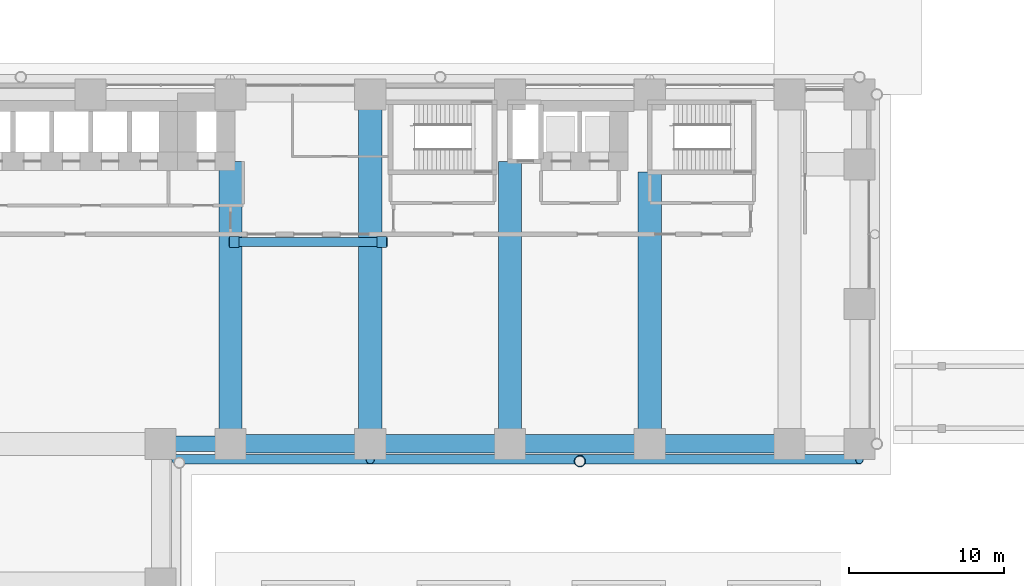
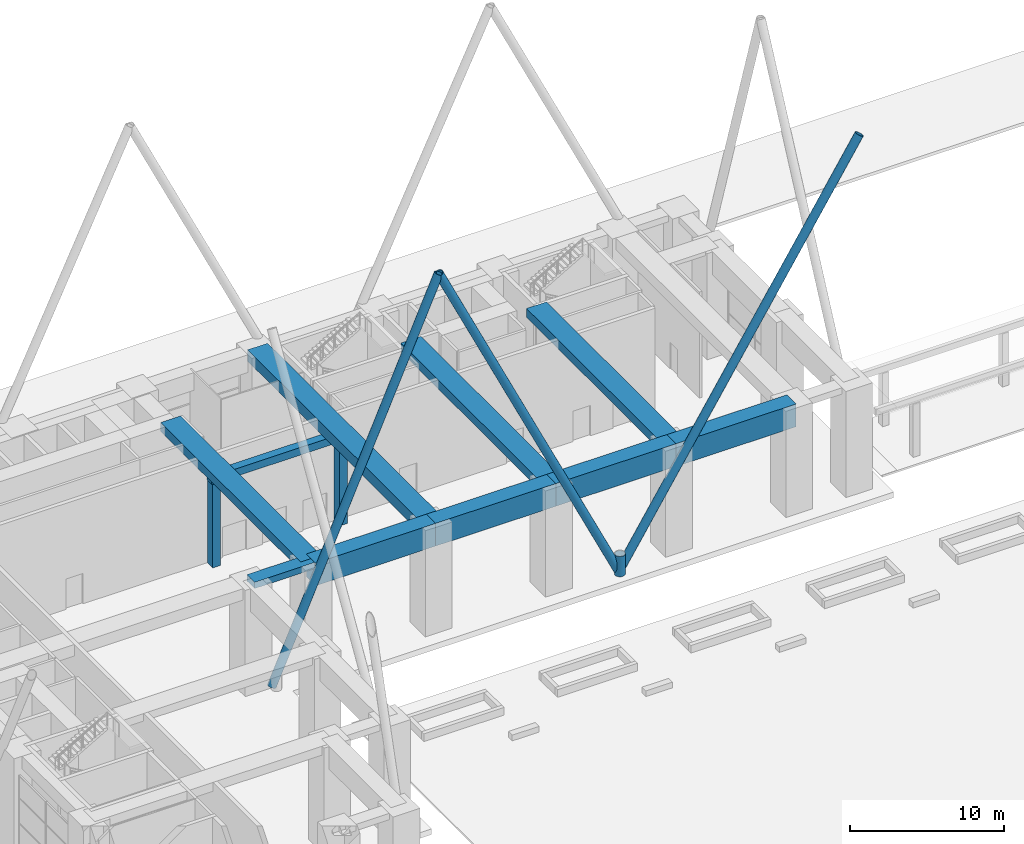
# One storey, part 9 of 44: 9 beams, 7 members.
"""IFC4 building model written with IfcOpenShell, lengths in metres."""

from ifc_helpers import new_model, si_unit, direction, frame, origin, origin_2d, place, context, subcontext, project, spatial, rectangle, hollow_circle, extrude, material, material_profile, profile_set, type_object, element, save


model = new_model("IFC4")

# Units and contexts
model_context = context("Model", 3, precision=1e-05, world=origin(), true_north=direction((0.0, 1.0)))
body_context = subcontext(model_context, "Body", "Model", "MODEL_VIEW")
ifc_project = project(units=[si_unit("LENGTHUNIT", "METRE"), si_unit("AREAUNIT", "SQUARE_METRE"), si_unit("VOLUMEUNIT", "CUBIC_METRE"), si_unit("PLANEANGLEUNIT", "RADIAN"), si_unit("MASSUNIT", "GRAM", prefix="KILO")], contexts=[model_context])

# Site, building, storey
site_placement = place(None, origin())
site = spatial("IfcSite", under=ifc_project, at=site_placement, CompositionType="ELEMENT")
building_placement = place(site_placement, origin())
building = spatial("IfcBuilding", under=site, at=building_placement, Name="Firuza Court", CompositionType="ELEMENT")
storey_placement = place(building_placement, origin())
storey = spatial("IfcBuildingStorey", under=building, at=storey_placement, Name="L00", CompositionType="ELEMENT", Elevation=0.0)

# Beams
ifc_material_1 = material(Name="Concrete C40/50", Category="concrete")
ifc_material_profile_1 = material_profile(ifc_material_1, rectangle(XDim=1.5, YDim=0.699951171875, at=origin_2d()), Name="RC 1500x700")
ifc_profile_set_1 = profile_set([ifc_material_profile_1], Name="Concrete C40/50")
beam_type_1 = type_object("IfcBeamType", Name="Band beam RC 1500x700 C40/50", PredefinedType="BEAM", material=ifc_profile_set_1)
for number, where, z_axis, x_axis, name in (
    (1, (27.0, 36.0, 8.050048828125), (0.0, 1.0, 0.0), (-1.0, 0.0, 0.0), "Band beam FB1 level L01"),
    (2, (45.0, 36.0, 8.050048828125), (0.0, 1.0, 0.0), (-1.0, 0.0, 0.0), "Band beam FB1 level L01"),
):
    element("IfcBeam", number, at=place(storey_placement, frame(where, z_axis=z_axis, x_axis=x_axis)), inside=storey, type_object=beam_type_1, Name=name, PredefinedType="BEAM", context=body_context, shape_type="SweptSolid", body=[
        extrude(rectangle(XDim=1.5, YDim=0.699951171875, at=origin_2d()), origin(), (0.0, 0.0, 1.0), 18.199951171875),
    ])
beam_1_placement = place(storey_placement, frame((54.0, 36.0, 8.050048828125), z_axis=(0.0, 1.0, 0.0), x_axis=(-1.0, 0.0, 0.0)))
element("IfcBeam", 3, at=beam_1_placement, inside=storey, type_object=beam_type_1, Name="Band beam FB1 level L01", PredefinedType="BEAM", context=body_context, shape_type="SweptSolid", body=[
    extrude(rectangle(XDim=1.5, YDim=0.699951171875, at=origin_2d()), origin(), (0.0, 0.0, 1.0), 17.5),
])
ifc_material_2 = material(Name="Concrete C40/50", Category="concrete")
ifc_material_profile_2 = material_profile(ifc_material_2, rectangle(XDim=1.5, YDim=0.89990234375, at=origin_2d()), Name="RC 1500x900")
ifc_profile_set_2 = profile_set([ifc_material_profile_2], Name="Concrete C40/50")
beam_type_2 = type_object("IfcBeamType", Name="Band beam RC 1500x900 C40/50", PredefinedType="BEAM", material=ifc_profile_set_2)
beam_2_placement = place(storey_placement, frame((36.0, 36.0, 7.949951171875), z_axis=(0.0, 1.0, 0.0), x_axis=(-1.0, 0.0, 0.0)))
element("IfcBeam", 4, at=beam_2_placement, inside=storey, type_object=beam_type_2, Name="Band beam FB2 level L01", PredefinedType="BEAM", context=body_context, shape_type="SweptSolid", body=[
    extrude(rectangle(XDim=1.5, YDim=0.89990234375, at=origin_2d()), origin(), (0.0, 0.0, 1.0), 22.5),
])

# Members
ifc_material_3 = material(Name="Steel S355", Category="steel")
ifc_material_profile_3 = material_profile(ifc_material_3, hollow_circle(Radius=0.304931640625, WallThickness=0.02490234375, at=origin_2d()), Name="CHS 610x25")
ifc_profile_set_3 = profile_set([ifc_material_profile_3], Name="Steel S355")
member_type_1 = type_object("IfcMemberType", Name="Diagrid diagonal CHS 610x25 S355", PredefinedType="USERDEFINED", material=ifc_profile_set_3)
member_1_placement = place(storey_placement, frame((23.4951171875, 35.0048828125, 0.130859375), z_axis=(0.403942106893, 0.0, 0.914784550743), x_axis=(0.0, 1.0, 0.0)))
element("IfcMember", 5, at=member_1_placement, inside=storey, type_object=member_type_1, Name="Diagrid diagonal L00 to L05", ObjectType="DIAGRID", PredefinedType="USERDEFINED", context=body_context, shape_type="SweptSolid", body=[
    extrude(hollow_circle(Radius=0.304931640625, WallThickness=0.02490234375, at=origin_2d()), origin(), (0.0, 0.0, 1.0), 30.95703125),
])
member_2_placement = place(storey_placement, frame((49.5, 35.0048828125, 0.130859375), z_axis=(-0.430315969648, 0.0, 0.902678329343), x_axis=(0.0, -1.0, 0.0)))
element("IfcMember", 6, at=member_2_placement, inside=storey, type_object=member_type_1, Name="Diagrid diagonal L00 to L05", ObjectType="DIAGRID", PredefinedType="USERDEFINED", context=body_context, shape_type="SweptSolid", body=[
    extrude(hollow_circle(Radius=0.304931640625, WallThickness=0.02490234375, at=origin_2d()), origin(), (0.0, 0.0, 1.0), 31.372314453125),
])
member_3_placement = place(storey_placement, frame((49.5, 35.0048828125, 0.1630859375), z_axis=(0.536859943682, 0.0, 0.843671382038), x_axis=(0.0, 1.0, 0.0)))
element("IfcMember", 7, at=member_3_placement, inside=storey, type_object=member_type_1, Name="Diagrid diagonal L00 to L05", ObjectType="DIAGRID", PredefinedType="USERDEFINED", context=body_context, shape_type="SweptSolid", body=[
    extrude(hollow_circle(Radius=0.304931640625, WallThickness=0.02490234375, at=origin_2d()), origin(), (0.0, 0.0, 1.0), 33.5283203125),
])
ifc_material_4 = material(Name="Steel S355", Category="steel")
ifc_material_profile_4 = material_profile(ifc_material_4, hollow_circle(Radius=0.35546875, WallThickness=0.030029296875, at=origin_2d()), Name="CHS 711x30")
ifc_profile_set_4 = profile_set([ifc_material_profile_4], Name="Steel S355")
member_type_2 = type_object("IfcMemberType", Name="Diagrid node CHS 711x30 S355", PredefinedType="USERDEFINED", material=ifc_profile_set_4)
member_4_placement = place(storey_placement, frame((49.5, 34.8798828125, 0.0), z_axis=(0.0, 0.0, 1.0), x_axis=(1.0, 0.0, 0.0)))
element("IfcMember", 8, at=member_4_placement, inside=storey, type_object=member_type_2, Name="Diagrid node level L00", ObjectType="DIAGRID NODE", PredefinedType="USERDEFINED", context=body_context, shape_type="SweptSolid", body=[
    extrude(hollow_circle(Radius=0.35546875, WallThickness=0.030029296875, at=origin_2d()), origin(), (0.0, 0.0, 1.0), 1.60009765625),
])
ifc_material_5 = material(Name="Concrete C50/60", Category="concrete")
ifc_material_profile_5 = material_profile(ifc_material_5, rectangle(XDim=0.60009765625, YDim=0.60009765625, at=origin_2d()), Name="Portal lintel 9500 x 600")
ifc_profile_set_5 = profile_set([ifc_material_profile_5], Name="Concrete C50/60")
member_type_3 = type_object("IfcMemberType", Name="Portal lintel 9500 x 600", PredefinedType="USERDEFINED", material=ifc_profile_set_5)
member_5_placement = place(storey_placement, frame((26.89990234375, 49.0, 6.89990234375), z_axis=(1.0, 0.0, 0.0), x_axis=(0.0, 1.0, 0.0)))
element("IfcMember", 9, at=member_5_placement, inside=storey, type_object=member_type_3, Name="Portal lintel", ObjectType="PORTAL FRAME", PredefinedType="USERDEFINED", context=body_context, shape_type="SweptSolid", body=[
    extrude(rectangle(XDim=0.60009765625, YDim=0.60009765625, at=origin_2d()), origin(), (0.0, 0.0, 1.0), 10.2001953125),
])
ifc_material_6 = material(Name="Concrete C50/60", Category="concrete")
ifc_material_profile_6 = material_profile(ifc_material_6, rectangle(XDim=0.60009765625, YDim=0.699951171875, at=origin_2d()), Name="Portal pier 700 x 600")
ifc_profile_set_6 = profile_set([ifc_material_profile_6], Name="Concrete C50/60")
member_type_4 = type_object("IfcMemberType", Name="Portal pier 700 x 600", PredefinedType="USERDEFINED", material=ifc_profile_set_6)
for number, where, z_axis, x_axis, name in (
    (10, (27.25, 49.0, 0.0), (0.0, 0.0, 1.0), (1.0, 0.0, 0.0), "Portal pier"),
    (11, (36.75, 49.0, 0.0), (0.0, 0.0, 1.0), (1.0, 0.0, 0.0), "Portal pier"),
):
    element("IfcMember", number, at=place(storey_placement, frame(where, z_axis=z_axis, x_axis=x_axis)), inside=storey, type_object=member_type_4, Name=name, ObjectType="PORTAL FRAME", PredefinedType="USERDEFINED", context=body_context, shape_type="SweptSolid", body=[
        extrude(rectangle(XDim=0.60009765625, YDim=0.699951171875, at=origin_2d()), origin(), (0.0, 0.0, 1.0), 6.60009765625),
    ])

# Beams
ifc_material_7 = material(Name="Concrete C40/50", Category="concrete")
ifc_material_profile_7 = material_profile(ifc_material_7, rectangle(XDim=1.0, YDim=0.5, at=origin_2d()), Name="RC 1000x500")
ifc_profile_set_7 = profile_set([ifc_material_profile_7], Name="Concrete C40/50")
beam_type_3 = type_object("IfcBeamType", Name="Spandrel beam RC 1000x500 C40/50", PredefinedType="BEAM", material=ifc_profile_set_7)
beam_3_placement = place(storey_placement, frame((22.5, 36.0, 8.14990234375), z_axis=(1.0, 0.0, 0.0), x_axis=(0.0, 1.0, 0.0)))
element("IfcBeam", 12, at=beam_3_placement, inside=storey, type_object=beam_type_3, Name="Spandrel beam SP7 level L01", PredefinedType="BEAM", context=body_context, shape_type="SweptSolid", body=[
    extrude(rectangle(XDim=1.0, YDim=0.5, at=origin_2d()), origin(), (0.0, 0.0, 1.0), 4.5),
])
ifc_material_8 = material(Name="Concrete C60/75", Category="concrete")
ifc_material_profile_8 = material_profile(ifc_material_8, rectangle(XDim=1.199951171875, YDim=1.800048828125, at=origin_2d()), Name="RC 1200x1800")
ifc_profile_set_8 = profile_set([ifc_material_profile_8], Name="Concrete C60/75")
beam_type_4 = type_object("IfcBeamType", Name="Transfer girder RC 1200x1800 C60/75", PredefinedType="USERDEFINED", material=ifc_profile_set_8)
for number, where, z_axis, x_axis, name in (
    (13, (27.0, 36.0, 7.5), (1.0, 0.0, 0.0), (0.0, 1.0, 0.0), "Transfer girder TG3 level L01"),
    (14, (36.0, 36.0, 7.5), (1.0, 0.0, 0.0), (0.0, 1.0, 0.0), "Transfer girder TG3 level L01"),
    (15, (45.0, 36.0, 7.5), (1.0, 0.0, 0.0), (0.0, 1.0, 0.0), "Transfer girder TG3 level L01"),
    (16, (54.0, 36.0, 7.5), (1.0, 0.0, 0.0), (0.0, 1.0, 0.0), "Transfer girder TG3 level L01"),
):
    element("IfcBeam", number, at=place(storey_placement, frame(where, z_axis=z_axis, x_axis=x_axis)), inside=storey, type_object=beam_type_4, Name=name, ObjectType="TRANSFER GIRDER", PredefinedType="USERDEFINED", context=body_context, shape_type="SweptSolid", body=[
        extrude(rectangle(XDim=1.199951171875, YDim=1.800048828125, at=origin_2d()), origin(), (0.0, 0.0, 1.0), 9.0),
    ])

save(model, "model.ifc")
